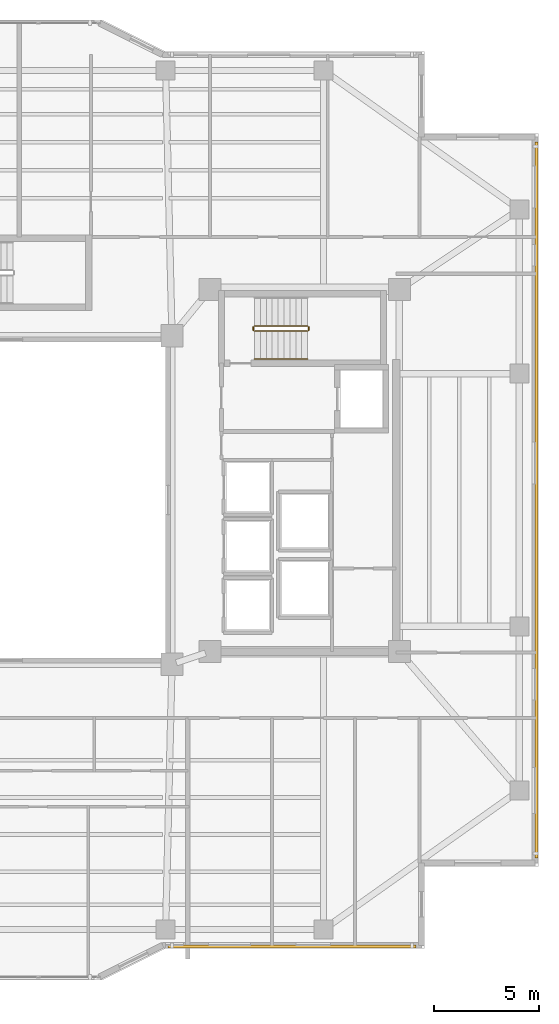
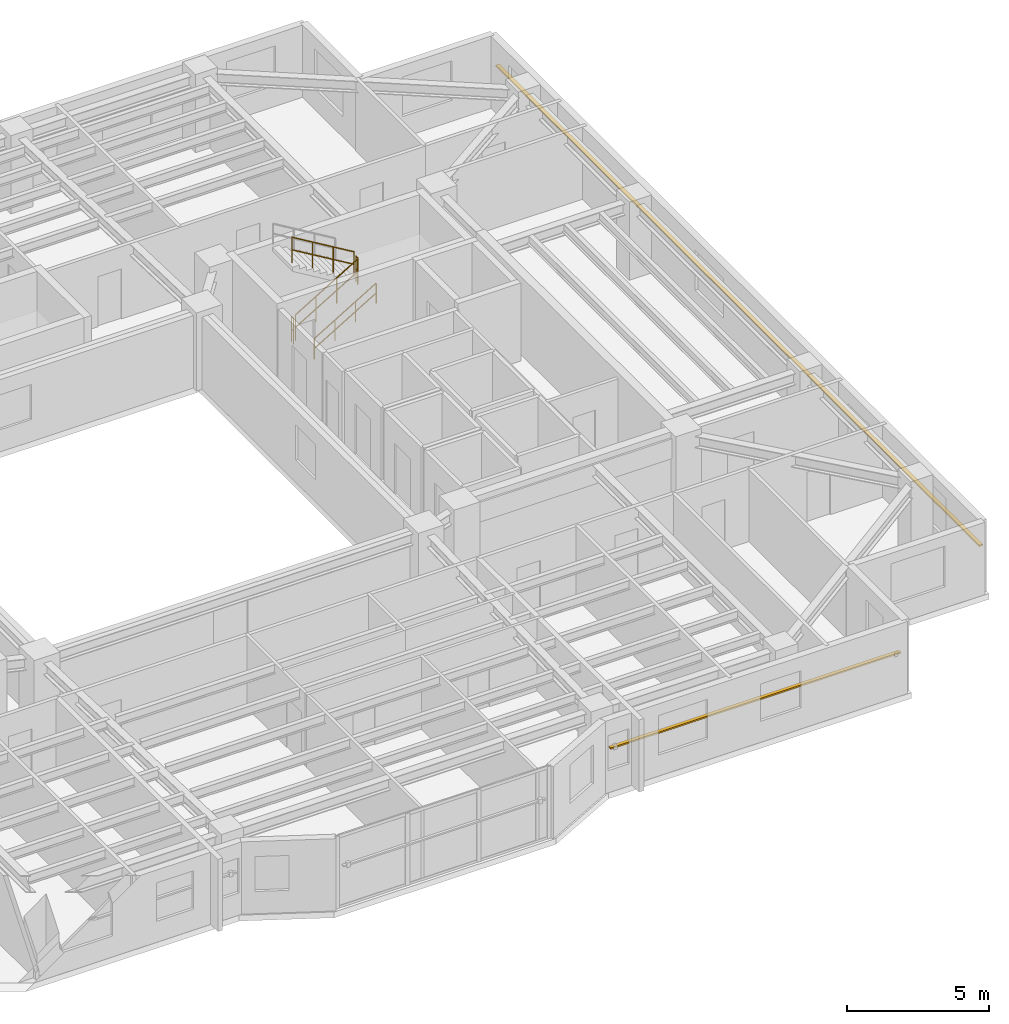
# One storey, part 14 of 15: 5 railings, 2 shading devices.
"""IFC4 building model written with IfcOpenShell, lengths in metres."""

import ifcopenshell
import ifcopenshell.guid

model = None  # the IFC model being written
_history = None  # IfcOwnerHistory: only IFC2X3 demands one
_inside = {}  # id of a spatial element -> (the spatial element, [elements in it])
_under = {}  # id of a project, library or spatial element -> (it, [spatial elements below it])
_declared = {}  # id of a project -> (the project, [libraries it declares])
_typed = {}  # id of a type object -> (the type object, [elements of that type])
_made_of = {}  # id of a material, layer set ... -> (it, [elements and type objects made of it])


def new_model(schema):
    """Start an empty IFC model of exactly this schema.

    Asked for "IFC4X3", IfcOpenShell would pick the latest addendum, in which some entities
    have other attributes; the version numbers below select the first issue.
    IFC2X3 requires an IfcOwnerHistory on every rooted entity: one is made here for all.
    """
    global model, _history
    if schema == "IFC4X3":
        model = ifcopenshell.file(schema_version=(4, 3, 0, 0))
    else:
        model = ifcopenshell.file(schema=schema)
    _inside.clear()
    _under.clear()
    _declared.clear()
    _typed.clear()
    _made_of.clear()
    _history = None
    if model.schema == "IFC2X3":
        org = make("IfcOrganization", Name="unknown")
        user = make(
            "IfcPersonAndOrganization",
            ThePerson=make("IfcPerson", FamilyName="unknown"),
            TheOrganization=org,
        )
        app = make(
            "IfcApplication",
            ApplicationDeveloper=org,
            Version="unknown",
            ApplicationFullName="unknown",
            ApplicationIdentifier="unknown",
        )
        _history = make(
            "IfcOwnerHistory",
            OwningUser=user,
            OwningApplication=app,
            ChangeAction="ADDED",
            CreationDate=0,
        )
    return model


def make(cls, **values):
    """One entity of the class cls with the attributes given. An attribute that is None is left unset."""
    return model.create_entity(
        cls, **{name: value for name, value in values.items() if value is not None}
    )


def rooted(cls, **values):
    """An entity with a GlobalId (a new one), such as an element, a storey or a relation."""
    return make(cls, GlobalId=ifcopenshell.guid.new(), OwnerHistory=_history, **values)


def si_unit(unit_type, name, prefix=None):
    """IfcSIUnit, for example si_unit("LENGTHUNIT", "METRE", prefix="MILLI")."""
    return make("IfcSIUnit", UnitType=unit_type, Prefix=prefix, Name=name)


def assignment(units):
    """IfcUnitAssignment: the units of a project."""
    return None if units is None else make("IfcUnitAssignment", Units=units)


def point(xyz):
    """IfcCartesianPoint."""
    return None if xyz is None else make("IfcCartesianPoint", Coordinates=xyz)


def direction(xyz):
    """IfcDirection."""
    return None if xyz is None else make("IfcDirection", DirectionRatios=xyz)


def frame(location, z_axis=None, x_axis=None):
    """IfcAxis2Placement3D, a coordinate frame: its origin and axes. An axis left out is left unset."""
    return make(
        "IfcAxis2Placement3D",
        Location=point(location),
        Axis=direction(z_axis),
        RefDirection=direction(x_axis),
    )


def frame_2d(location, x_axis=None):
    """IfcAxis2Placement2D, a coordinate frame in the plane: its origin and x axis."""
    return make(
        "IfcAxis2Placement2D", Location=point(location), RefDirection=direction(x_axis)
    )


def origin():
    """The frame at (0, 0, 0) with its axes left unset."""
    return frame((0.0, 0.0, 0.0))


def origin_2d():
    """The frame at (0, 0) in the plane with its x axis left unset."""
    return frame_2d((0.0, 0.0))


def place(relative_to, where):
    """IfcLocalPlacement: puts the frame where relative to a parent placement (None: the world)."""
    return make(
        "IfcLocalPlacement", PlacementRelTo=relative_to, RelativePlacement=where
    )


def context(
    kind, dimensions, precision=None, world=None, true_north=None, identifier=None
):
    """IfcGeometricRepresentationContext, for example the 3D "Model" context."""
    return make(
        "IfcGeometricRepresentationContext",
        ContextIdentifier=identifier,
        ContextType=kind,
        CoordinateSpaceDimension=dimensions,
        Precision=precision,
        WorldCoordinateSystem=world,
        TrueNorth=true_north,
    )


def subcontext(parent, identifier, kind, view, scale=None):
    """IfcGeometricRepresentationSubContext, for example "Body" below "Model"."""
    return make(
        "IfcGeometricRepresentationSubContext",
        ContextIdentifier=identifier,
        ContextType=kind,
        ParentContext=parent,
        TargetScale=scale,
        TargetView=view,
    )


def project(units=None, contexts=None):
    """IfcProject with its units and contexts."""
    return rooted(
        "IfcProject",
        Name="project",
        RepresentationContexts=contexts,
        UnitsInContext=assignment(units),
    )


def spatial(cls, under=None, at=None, **own):
    """A site, building, storey or space (cls), placed at a placement, below another one or the project."""
    s = rooted(cls, ObjectPlacement=at, **own)
    if under is not None:
        _under.setdefault(under.id(), (under, []))[1].append(s)
    return s


def profile(cls, at=None, kind="AREA", **sizes):
    """A parametric profile (cls). Its sizes go by their IFC names, for example OverallWidth=200.0."""
    return make(cls, ProfileType=kind, Position=at, **sizes)


def rectangle(**sizes):
    """IfcRectangleProfileDef."""
    return profile("IfcRectangleProfileDef", **sizes)


def circle(**sizes):
    """IfcCircleProfileDef."""
    return profile("IfcCircleProfileDef", **sizes)


def extrude(swept, where, along, depth):
    """IfcExtrudedAreaSolid: the profile swept, set in the frame where, extruded along a direction by depth."""
    return make(
        "IfcExtrudedAreaSolid",
        SweptArea=swept,
        Position=where,
        ExtrudedDirection=direction(along),
        Depth=depth,
    )


def shape(context_of_items, identifier, shape_type, items):
    """IfcShapeRepresentation: the items that make up one representation, for example the "Body"."""
    return make(
        "IfcShapeRepresentation",
        ContextOfItems=context_of_items,
        RepresentationIdentifier=identifier,
        RepresentationType=shape_type,
        Items=items,
    )


def material(Name=None, Category=None):
    """IfcMaterial."""
    return make("IfcMaterial", Name=Name, Category=Category)


def material_profile(
    of_material, cross_section, Name=None, Category=None, Priority=None
):
    """IfcMaterialProfile: a cross section and its material."""
    return make(
        "IfcMaterialProfile",
        Name=Name,
        Material=of_material,
        Profile=cross_section,
        Priority=Priority,
        Category=Category,
    )


def profile_set(profiles, Name=None, composite=None):
    """IfcMaterialProfileSet."""
    return make(
        "IfcMaterialProfileSet",
        Name=Name,
        MaterialProfiles=profiles,
        CompositeProfile=composite,
    )


def made_of(thing, what):
    """Note that an element or type object is made of a material, layer set ...; save() writes the relation."""
    if what is not None:
        _made_of.setdefault(what.id(), (what, []))[1].append(thing)
    return thing


def type_object(cls, material=None, **own):
    """A type object (cls), such as IfcWallType, which elements share."""
    return made_of(rooted(cls, **own), material)


def element(
    cls,
    number,
    at=None,
    inside=None,
    cuts=None,
    type_object=None,
    material=None,
    context=None,
    identifier="Body",
    shape_type=None,
    held_by="IfcProductDefinitionShape",
    body=None,
    shapes=None,
    **own,
):
    """One element of the class cls, such as IfcWall. Its Tag is "e" and its number.

    at: its placement. inside: the storey or other place that contains it. cuts: it is an
    opening in that element (IfcRelVoidsElement). A single representation is given by context,
    identifier, shape_type and body (its items); several are given by shapes. held_by: the class
    of the entity that holds the representations. save() writes the other relations.
    """
    e = rooted(cls, Tag="e%d" % number, ObjectPlacement=at, **own)
    if body is not None:
        shapes = [shape(context, identifier, shape_type, body)]
    if shapes is not None:
        e.Representation = make(held_by, Representations=shapes)
    if inside is not None:
        _inside.setdefault(inside.id(), (inside, []))[1].append(e)
    if cuts is not None:
        rooted(
            "IfcRelVoidsElement", RelatingBuildingElement=cuts, RelatedOpeningElement=e
        )
    if type_object is not None:
        _typed.setdefault(type_object.id(), (type_object, []))[1].append(e)
    return made_of(e, material)


def aggregate(whole, parts):
    """IfcRelAggregates: a whole, such as a stair, and the parts it consists of."""
    return rooted("IfcRelAggregates", RelatingObject=whole, RelatedObjects=parts)


def save(model, path):
    """Write the relations noted so far, then the file.

    IfcRelAggregates (storeys below a building ...), IfcRelContainedInSpatialStructure (elements
    in a storey), IfcRelDefinesByType, IfcRelAssociatesMaterial and IfcRelDeclares: one each for
    every whole, place, type object, material and project.
    """
    for whole, parts in _under.values():
        aggregate(whole, parts)
    for where, things in _inside.values():
        rooted(
            "IfcRelContainedInSpatialStructure",
            RelatedElements=things,
            RelatingStructure=where,
        )
    for kind, things in _typed.values():
        rooted("IfcRelDefinesByType", RelatedObjects=things, RelatingType=kind)
    for what, things in _made_of.values():
        rooted("IfcRelAssociatesMaterial", RelatedObjects=things, RelatingMaterial=what)
    for by, libraries in _declared.values():
        rooted("IfcRelDeclares", RelatingContext=by, RelatedDefinitions=libraries)
    model.write(path)


model = new_model("IFC4")

# Units and contexts
model_context = context("Model", 3, precision=1e-05, world=origin(), true_north=direction((0.0, 1.0)))
body_context = subcontext(model_context, "Body", "Model", "MODEL_VIEW")
ifc_project = project(units=[si_unit("LENGTHUNIT", "METRE"), si_unit("AREAUNIT", "SQUARE_METRE"), si_unit("VOLUMEUNIT", "CUBIC_METRE"), si_unit("PLANEANGLEUNIT", "RADIAN"), si_unit("MASSUNIT", "GRAM", prefix="KILO")], contexts=[model_context])

# Site, building, storey
site_placement = place(None, origin())
site = spatial("IfcSite", under=ifc_project, at=site_placement, CompositionType="ELEMENT")
building_placement = place(site_placement, origin())
building = spatial("IfcBuilding", under=site, at=building_placement, Name="Tarnavaz Court Tower", CompositionType="ELEMENT")
storey_placement = place(building_placement, frame((0.0, 0.0, 142.64990234375)))
storey = spatial("IfcBuildingStorey", under=building, at=storey_placement, Name="L38", CompositionType="ELEMENT", Elevation=142.64990234375)

# Railings
ifc_material_1 = material(Name="Brushed Stainless Steel", Category="steel")
railing_type_1 = type_object("IfcRailingType", Name="RL-HANDRAIL-900", PredefinedType="HANDRAIL", material=ifc_material_1)
railing_1_placement = place(storey_placement, frame((11.719970703125, 6.699951171875, 0.16748046875)))
element("IfcRailing", 1, at=railing_1_placement, inside=storey, type_object=railing_type_1, Name="L38 ST-E1 stair handrail 1", PredefinedType="HANDRAIL", context=body_context, shape_type="SweptSolid", body=[
    extrude(circle(Radius=0.02392578125, at=origin_2d()), frame((0.0, 0.0, 0.8759765625), z_axis=(0.858159760407, 0.0, 0.513382728203), x_axis=(0.0, 1.0, 0.0)), (0.0, 0.0, 1.0), 2.9365234375),
    extrude(circle(Radius=0.02392578125, at=origin_2d()), frame((0.0, 0.0, 0.449951171875), z_axis=(0.858159760407, 0.0, 0.513382728203), x_axis=(0.0, 1.0, 0.0)), (0.0, 0.0, 1.0), 2.9365234375),
    extrude(circle(Radius=0.02099609375, at=origin_2d()), origin(), (0.0, 0.0, 1.0), 0.851806640625),
    extrude(circle(Radius=0.02099609375, at=origin_2d()), frame((0.840087890625, 0.0, 0.50244140625)), (0.0, 0.0, 1.0), 0.851806640625),
    extrude(circle(Radius=0.02099609375, at=origin_2d()), frame((1.679931640625, 0.0, 1.005126953125)), (0.0, 0.0, 1.0), 0.851806640625),
    extrude(circle(Radius=0.02099609375, at=origin_2d()), frame((2.52001953125, 0.0, 1.507568359375)), (0.0, 0.0, 1.0), 0.851806640625),
])
ifc_material_2 = material(Name="Galvanized Painted Tubular Steel", Category="steel")
railing_type_2 = type_object("IfcRailingType", Name="RL-STGUARD-1120", PredefinedType="GUARDRAIL", material=ifc_material_2)
railing_2_placement = place(storey_placement, frame((11.719970703125, 8.02001953125, 0.16748046875)))
element("IfcRailing", 2, at=railing_2_placement, inside=storey, type_object=railing_type_2, Name="L38 ST-E1 stair guard 1", PredefinedType="GUARDRAIL", context=body_context, shape_type="SweptSolid", body=[
    extrude(circle(Radius=0.02392578125, at=origin_2d()), frame((0.0, 0.0, 1.09619140625), z_axis=(0.858159760407, 0.0, 0.513382728203), x_axis=(0.0, 1.0, 0.0)), (0.0, 0.0, 1.0), 2.9365234375),
    extrude(circle(Radius=0.02392578125, at=origin_2d()), frame((0.0, 0.0, 0.56005859375), z_axis=(0.858159760407, 0.0, 0.513382728203), x_axis=(0.0, 1.0, 0.0)), (0.0, 0.0, 1.0), 2.9365234375),
    extrude(circle(Radius=0.02099609375, at=origin_2d()), origin(), (0.0, 0.0, 1.0), 1.072021484375),
    extrude(circle(Radius=0.02099609375, at=origin_2d()), frame((0.840087890625, 0.0, 0.50244140625)), (0.0, 0.0, 1.0), 1.072021484375),
    extrude(circle(Radius=0.02099609375, at=origin_2d()), frame((1.679931640625, 0.0, 1.005126953125)), (0.0, 0.0, 1.0), 1.072021484375),
    extrude(circle(Radius=0.02099609375, at=origin_2d()), frame((2.52001953125, 0.0, 1.507568359375)), (0.0, 0.0, 1.0), 1.072021484375),
])
railing_3_placement = place(storey_placement, frame((14.2900390625, 8.070068359375, 1.675048828125)))
element("IfcRailing", 3, at=railing_3_placement, inside=storey, type_object=railing_type_2, Name="L38 ST-E1 stair guard 2", PredefinedType="GUARDRAIL", context=body_context, shape_type="SweptSolid", body=[
    extrude(circle(Radius=0.02392578125, at=origin_2d()), frame((0.0, 0.0, 1.09619140625), z_axis=(0.0, 1.0, 0.0), x_axis=(-1.0, 0.0, 0.0)), (0.0, 0.0, 1.0), 0.14990234375),
    extrude(circle(Radius=0.02392578125, at=origin_2d()), frame((0.0, 0.0, 0.56005859375), z_axis=(0.0, 1.0, 0.0), x_axis=(-1.0, 0.0, 0.0)), (0.0, 0.0, 1.0), 0.14990234375),
    extrude(circle(Radius=0.02099609375, at=origin_2d()), origin(), (0.0, 0.0, 1.0), 1.072021484375),
    extrude(circle(Radius=0.02099609375, at=origin_2d()), frame((0.0, 0.14990234375, 0.0)), (0.0, 0.0, 1.0), 1.072021484375),
])
railing_4_placement = place(storey_placement, frame((14.239990234375, 8.27001953125, 1.842529296875)))
element("IfcRailing", 4, at=railing_4_placement, inside=storey, type_object=railing_type_2, Name="L38 ST-E1 stair guard 3", PredefinedType="GUARDRAIL", context=body_context, shape_type="SweptSolid", body=[
    extrude(circle(Radius=0.02392578125, at=origin_2d()), frame((0.0, 0.0, 1.09619140625), z_axis=(-0.858159760407, 0.0, 0.513382728203), x_axis=(0.0, -1.0, 0.0)), (0.0, 0.0, 1.0), 2.9365234375),
    extrude(circle(Radius=0.02392578125, at=origin_2d()), frame((0.0, 0.0, 0.56005859375), z_axis=(-0.858159760407, 0.0, 0.513382728203), x_axis=(0.0, -1.0, 0.0)), (0.0, 0.0, 1.0), 2.9365234375),
    extrude(circle(Radius=0.02099609375, at=origin_2d()), origin(), (0.0, 0.0, 1.0), 1.072021484375),
    extrude(circle(Radius=0.02099609375, at=origin_2d()), frame((-0.840087890625, 0.0, 0.50244140625)), (0.0, 0.0, 1.0), 1.072021484375),
    extrude(circle(Radius=0.02099609375, at=origin_2d()), frame((-1.679931640625, 0.0, 1.005126953125)), (0.0, 0.0, 1.0), 1.072021484375),
    extrude(circle(Radius=0.02099609375, at=origin_2d()), frame((-2.52001953125, 0.0, 1.507568359375)), (0.0, 0.0, 1.0), 1.072021484375),
])
railing_5_placement = place(storey_placement, frame((11.669921875, 8.070068359375, 0.0)))
element("IfcRailing", 5, at=railing_5_placement, inside=storey, type_object=railing_type_2, Name="L38 ST-E1 stair guard 4", PredefinedType="GUARDRAIL", context=body_context, shape_type="SweptSolid", body=[
    extrude(circle(Radius=0.02392578125, at=origin_2d()), frame((0.0, 0.0, 1.09619140625), z_axis=(0.0, 1.0, 0.0), x_axis=(-1.0, 0.0, 0.0)), (0.0, 0.0, 1.0), 0.14990234375),
    extrude(circle(Radius=0.02392578125, at=origin_2d()), frame((0.0, 0.0, 0.56005859375), z_axis=(0.0, 1.0, 0.0), x_axis=(-1.0, 0.0, 0.0)), (0.0, 0.0, 1.0), 0.14990234375),
    extrude(circle(Radius=0.02099609375, at=origin_2d()), origin(), (0.0, 0.0, 1.0), 1.072021484375),
    extrude(circle(Radius=0.02099609375, at=origin_2d()), frame((0.0, 0.14990234375, 0.0)), (0.0, 0.0, 1.0), 1.072021484375),
])

# Shading devices
ifc_material_3 = material(Name="Kiln-Fired Khorasan Terracotta Ceramic", Category="masonry")
ifc_material_profile = material_profile(ifc_material_3, rectangle(XDim=0.14990234375, YDim=0.06494140625, at=origin_2d()), Name="TC BAGUETTE 150X65")
ifc_profile_set = profile_set([ifc_material_profile], Name="Kiln-Fired Khorasan Terracotta Ceramic")
shading_device_type = type_object("IfcShadingDeviceType", Name="SD-BAG-150", PredefinedType="USERDEFINED", material=ifc_profile_set)
shading_device_1_placement = place(storey_placement, frame((25.110107421875, 17.0, 1.85009765625), z_axis=(0.0, -1.0, 0.0), x_axis=(1.0, 0.0, 0.0)))
element("IfcShadingDevice", 6, at=shading_device_1_placement, inside=storey, type_object=shading_device_type, Name="L38 Terracotta Baguette Screen FBG12", ObjectType="BAGUETTE", PredefinedType="USERDEFINED", context=body_context, shape_type="SweptSolid", body=[
    extrude(rectangle(XDim=0.14990234375, YDim=0.06494140625, at=origin_2d()), origin(), (0.0, 0.0, 1.0), 34.0),
])
shading_device_2_placement = place(storey_placement, frame((19.39990234375, -21.2099609375, 1.85009765625), z_axis=(-1.0, 0.0, 0.0), x_axis=(0.0, -1.0, 0.0)))
element("IfcShadingDevice", 7, at=shading_device_2_placement, inside=storey, type_object=shading_device_type, Name="L38 Terracotta Baguette Screen FBG15", ObjectType="BAGUETTE", PredefinedType="USERDEFINED", context=body_context, shape_type="SweptSolid", body=[
    extrude(rectangle(XDim=0.14990234375, YDim=0.06494140625, at=origin_2d()), origin(), (0.0, 0.0, 1.0), 11.7998046875),
])

save(model, "model.ifc")
